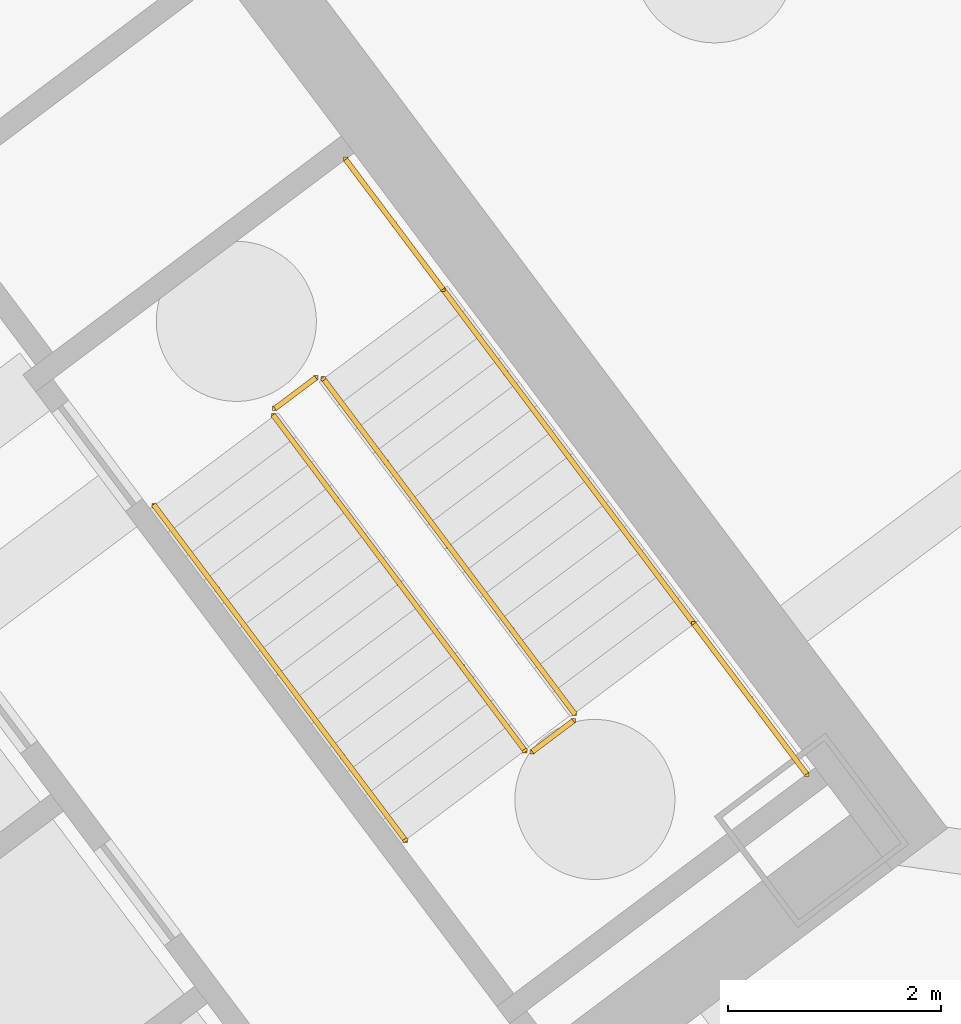
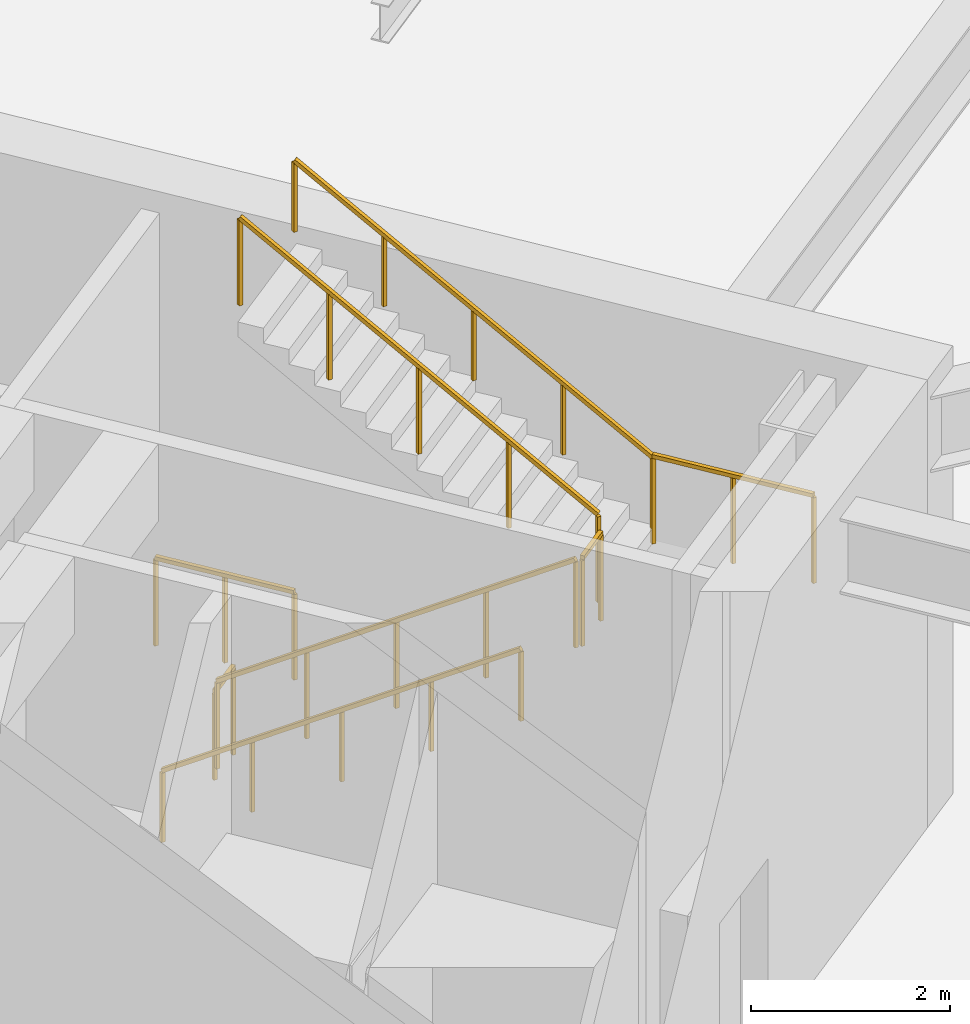
# One storey, part 18 of 19: 8 railings.
"""IFC4 building model written with IfcOpenShell, lengths in metres."""

from ifc_helpers import new_model, si_unit, direction, frame, origin, origin_2d, place, context, subcontext, project, spatial, rectangle, extrude, material, type_object, element, save


model = new_model("IFC4")

# Units and contexts
model_context = context("Model", 3, precision=1e-05, world=origin(), true_north=direction((0.0, 1.0)))
body_context = subcontext(model_context, "Body", "Model", "MODEL_VIEW")
ifc_project = project(units=[si_unit("LENGTHUNIT", "METRE"), si_unit("AREAUNIT", "SQUARE_METRE"), si_unit("VOLUMEUNIT", "CUBIC_METRE"), si_unit("PLANEANGLEUNIT", "RADIAN"), si_unit("MASSUNIT", "GRAM", prefix="KILO")], contexts=[model_context])

# Site, building, storey
site_placement = place(None, origin())
site = spatial("IfcSite", under=ifc_project, at=site_placement, CompositionType="ELEMENT")
building_placement = place(site_placement, origin())
building = spatial("IfcBuilding", under=site, at=building_placement, Name="Tashvorn Skyway Center", CompositionType="ELEMENT")
storey_placement = place(building_placement, frame((0.0, 0.0, -11.0)))
storey = spatial("IfcBuildingStorey", under=building, at=storey_placement, Name="B2", CompositionType="ELEMENT", Elevation=-11.0)

# Railings
ifc_material_1 = material(Name="Brushed stainless steel 316", Category="steel")
railing_type_1 = type_object("IfcRailingType", Name="RAIL-HAND-920", PredefinedType="HANDRAIL", material=ifc_material_1)
railing_1_placement = place(storey_placement, frame((117.7119140625, 33.634033203125, 0.183349609375)))
element("IfcRailing", 1, at=railing_1_placement, inside=storey, type_object=railing_type_1, Name="B2 ST-T2-2 stair handrail 1", PredefinedType="HANDRAIL", context=body_context, shape_type="SweptSolid", body=[
    extrude(rectangle(XDim=0.048095703125, YDim=0.048095703125, at=origin_2d()), frame((0.0, 0.0, 0.8759765625), z_axis=(0.501981159624, -0.669290844444, 0.54778159966), x_axis=(0.799992526283, 0.600009964827, 0.0)), (0.0, 0.0, 1.0), 4.685546875),
    extrude(rectangle(XDim=0.0419921875, YDim=0.0419921875, at=origin_2d()), origin(), (0.0, 0.0, 1.0), 0.851806640625),
    extrude(rectangle(XDim=0.0419921875, YDim=0.0419921875, at=origin_2d()), frame((0.587890625, -0.783935546875, 0.6416015625)), (0.0, 0.0, 1.0), 0.851806640625),
    extrude(rectangle(XDim=0.0419921875, YDim=0.0419921875, at=origin_2d()), frame((1.176025390625, -1.56787109375, 1.283203125)), (0.0, 0.0, 1.0), 0.851806640625),
    extrude(rectangle(XDim=0.0419921875, YDim=0.0419921875, at=origin_2d()), frame((1.76416015625, -2.35205078125, 1.925048828125)), (0.0, 0.0, 1.0), 0.851806640625),
    extrude(rectangle(XDim=0.0419921875, YDim=0.0419921875, at=origin_2d()), frame((2.35205078125, -3.135986328125, 2.566650390625)), (0.0, 0.0, 1.0), 0.851806640625),
])
railing_2_placement = place(storey_placement, frame((122.76806640625, 32.52587890625, 2.933349609375)))
element("IfcRailing", 2, at=railing_2_placement, inside=storey, type_object=railing_type_1, Name="B2 ST-T2-2 stair handrail 2", PredefinedType="HANDRAIL", context=body_context, shape_type="SweptSolid", body=[
    extrude(rectangle(XDim=0.048095703125, YDim=0.048095703125, at=origin_2d()), frame((0.0, 0.0, 0.8759765625), z_axis=(-0.501963654013, 0.669319607583, 0.547762496849), x_axis=(-0.800014946318, -0.599980071059, 0.0)), (0.0, 0.0, 1.0), 4.685791015625),
    extrude(rectangle(XDim=0.0419921875, YDim=0.0419921875, at=origin_2d()), origin(), (0.0, 0.0, 1.0), 0.851806640625),
    extrude(rectangle(XDim=0.0419921875, YDim=0.0419921875, at=origin_2d()), frame((-0.587890625, 0.7841796875, 0.6416015625)), (0.0, 0.0, 1.0), 0.851806640625),
    extrude(rectangle(XDim=0.0419921875, YDim=0.0419921875, at=origin_2d()), frame((-1.176025390625, 1.568115234375, 1.283203125)), (0.0, 0.0, 1.0), 0.851806640625),
    extrude(rectangle(XDim=0.0419921875, YDim=0.0419921875, at=origin_2d()), frame((-1.76416015625, 2.35205078125, 1.925048828125)), (0.0, 0.0, 1.0), 0.851806640625),
    extrude(rectangle(XDim=0.0419921875, YDim=0.0419921875, at=origin_2d()), frame((-2.35205078125, 3.13623046875, 2.566650390625)), (0.0, 0.0, 1.0), 0.851806640625),
])
ifc_material_2 = material(Name="Painted galvanized steel S355", Category="steel")
railing_type_2 = type_object("IfcRailingType", Name="RAIL-STGUARD-1100", PredefinedType="GUARDRAIL", material=ifc_material_2)
railing_3_placement = place(storey_placement, frame((118.83203125, 34.47412109375, 0.183349609375)))
element("IfcRailing", 3, at=railing_3_placement, inside=storey, type_object=railing_type_2, Name="B2 ST-T2-2 stair guard 1", PredefinedType="GUARDRAIL", context=body_context, shape_type="SweptSolid", body=[
    extrude(rectangle(XDim=0.048095703125, YDim=0.048095703125, at=origin_2d()), frame((0.0, 0.0, 1.076171875), z_axis=(0.501963654013, -0.669319607583, 0.547762496849), x_axis=(0.800014946318, 0.599980071059, 0.0)), (0.0, 0.0, 1.0), 4.685791015625),
    extrude(rectangle(XDim=0.0419921875, YDim=0.0419921875, at=origin_2d()), origin(), (0.0, 0.0, 1.0), 1.052001953125),
    extrude(rectangle(XDim=0.0419921875, YDim=0.0419921875, at=origin_2d()), frame((0.587890625, -0.7841796875, 0.6416015625)), (0.0, 0.0, 1.0), 1.052001953125),
    extrude(rectangle(XDim=0.0419921875, YDim=0.0419921875, at=origin_2d()), frame((1.176025390625, -1.568115234375, 1.283203125)), (0.0, 0.0, 1.0), 1.052001953125),
    extrude(rectangle(XDim=0.0419921875, YDim=0.0419921875, at=origin_2d()), frame((1.76416015625, -2.35205078125, 1.925048828125)), (0.0, 0.0, 1.0), 1.052001953125),
    extrude(rectangle(XDim=0.0419921875, YDim=0.0419921875, at=origin_2d()), frame((2.35205078125, -3.13623046875, 2.566650390625)), (0.0, 0.0, 1.0), 1.052001953125),
])
railing_4_placement = place(storey_placement, frame((121.25390625, 31.327880859375, 2.75)))
element("IfcRailing", 4, at=railing_4_placement, inside=storey, type_object=railing_type_2, Name="B2 ST-T2-2 stair guard 2", PredefinedType="GUARDRAIL", context=body_context, shape_type="SweptSolid", body=[
    extrude(rectangle(XDim=0.048095703125, YDim=0.048095703125, at=origin_2d()), frame((0.0, 0.0, 1.076171875), z_axis=(0.799938970639, 0.600081363861, 0.0), x_axis=(-0.600081363861, 0.799938970639, 0.0)), (0.0, 0.0, 1.0), 0.47998046875),
    extrude(rectangle(XDim=0.0419921875, YDim=0.0419921875, at=origin_2d()), origin(), (0.0, 0.0, 1.0), 1.052001953125),
    extrude(rectangle(XDim=0.0419921875, YDim=0.0419921875, at=origin_2d()), frame((0.384033203125, 0.2880859375, 0.0)), (0.0, 0.0, 1.0), 1.052001953125),
])
railing_5_placement = place(storey_placement, frame((122.76806640625, 32.52587890625, 2.75)))
element("IfcRailing", 5, at=railing_5_placement, inside=storey, type_object=railing_type_2, Name="B2 ST-T2-2 stair guard 3", PredefinedType="GUARDRAIL", context=body_context, shape_type="SweptSolid", body=[
    extrude(rectangle(XDim=0.048095703125, YDim=0.048095703125, at=origin_2d()), frame((0.0, 0.0, 1.076171875), z_axis=(0.599977804058, -0.800016646475, 0.0), x_axis=(0.800016646475, 0.599977804058, 0.0)), (0.0, 0.0, 1.0), 1.760009765625),
    extrude(rectangle(XDim=0.0419921875, YDim=0.0419921875, at=origin_2d()), origin(), (0.0, 0.0, 1.0), 1.052001953125),
    extrude(rectangle(XDim=0.0419921875, YDim=0.0419921875, at=origin_2d()), frame((0.52783203125, -0.7041015625, 0.0)), (0.0, 0.0, 1.0), 1.052001953125),
    extrude(rectangle(XDim=0.0419921875, YDim=0.0419921875, at=origin_2d()), frame((1.055908203125, -1.407958984375, 0.0)), (0.0, 0.0, 1.0), 1.052001953125),
])
railing_6_placement = place(storey_placement, frame((121.64794921875, 31.68603515625, 2.933349609375)))
element("IfcRailing", 6, at=railing_6_placement, inside=storey, type_object=railing_type_2, Name="B2 ST-T2-2 stair guard 4", PredefinedType="GUARDRAIL", context=body_context, shape_type="SweptSolid", body=[
    extrude(rectangle(XDim=0.048095703125, YDim=0.048095703125, at=origin_2d()), frame((0.0, 0.0, 1.076171875), z_axis=(-0.501981159624, 0.669290844444, 0.54778159966), x_axis=(-0.799992526283, -0.600009964827, 0.0)), (0.0, 0.0, 1.0), 4.685546875),
    extrude(rectangle(XDim=0.0419921875, YDim=0.0419921875, at=origin_2d()), origin(), (0.0, 0.0, 1.0), 1.052001953125),
    extrude(rectangle(XDim=0.0419921875, YDim=0.0419921875, at=origin_2d()), frame((-0.587890625, 0.783935546875, 0.6416015625)), (0.0, 0.0, 1.0), 1.052001953125),
    extrude(rectangle(XDim=0.0419921875, YDim=0.0419921875, at=origin_2d()), frame((-1.176025390625, 1.56787109375, 1.283203125)), (0.0, 0.0, 1.0), 1.052001953125),
    extrude(rectangle(XDim=0.0419921875, YDim=0.0419921875, at=origin_2d()), frame((-1.76416015625, 2.35205078125, 1.925048828125)), (0.0, 0.0, 1.0), 1.052001953125),
    extrude(rectangle(XDim=0.0419921875, YDim=0.0419921875, at=origin_2d()), frame((-2.35205078125, 3.135986328125, 2.566650390625)), (0.0, 0.0, 1.0), 1.052001953125),
])
railing_7_placement = place(storey_placement, frame((118.842041015625, 34.5439453125, 0.0)))
element("IfcRailing", 7, at=railing_7_placement, inside=storey, type_object=railing_type_2, Name="B2 ST-T2-2 stair guard 5", PredefinedType="GUARDRAIL", context=body_context, shape_type="SweptSolid", body=[
    extrude(rectangle(XDim=0.048095703125, YDim=0.048095703125, at=origin_2d()), frame((0.0, 0.0, 1.076171875), z_axis=(0.799938970639, 0.600081363861, 0.0), x_axis=(-0.600081363861, 0.799938970639, 0.0)), (0.0, 0.0, 1.0), 0.47998046875),
    extrude(rectangle(XDim=0.0419921875, YDim=0.0419921875, at=origin_2d()), origin(), (0.0, 0.0, 1.0), 1.052001953125),
    extrude(rectangle(XDim=0.0419921875, YDim=0.0419921875, at=origin_2d()), frame((0.384033203125, 0.2880859375, 0.0)), (0.0, 0.0, 1.0), 1.052001953125),
])
railing_8_placement = place(storey_placement, frame((119.50390625, 36.8779296875, 0.0)))
element("IfcRailing", 8, at=railing_8_placement, inside=storey, type_object=railing_type_2, Name="B2 ST-T2-2 stair guard 6", PredefinedType="GUARDRAIL", context=body_context, shape_type="SweptSolid", body=[
    extrude(rectangle(XDim=0.048095703125, YDim=0.048095703125, at=origin_2d()), frame((0.0, 0.0, 1.076171875), z_axis=(0.600102796382, -0.799922892393, 0.0), x_axis=(0.799922892393, 0.600102796382, 0.0)), (0.0, 0.0, 1.0), 1.52001953125),
    extrude(rectangle(XDim=0.0419921875, YDim=0.0419921875, at=origin_2d()), origin(), (0.0, 0.0, 1.0), 1.052001953125),
    extrude(rectangle(XDim=0.0419921875, YDim=0.0419921875, at=origin_2d()), frame((0.4560546875, -0.60791015625, 0.0)), (0.0, 0.0, 1.0), 1.052001953125),
    extrude(rectangle(XDim=0.0419921875, YDim=0.0419921875, at=origin_2d()), frame((0.912109375, -1.2158203125, 0.0)), (0.0, 0.0, 1.0), 1.052001953125),
])

save(model, "model.ifc")
